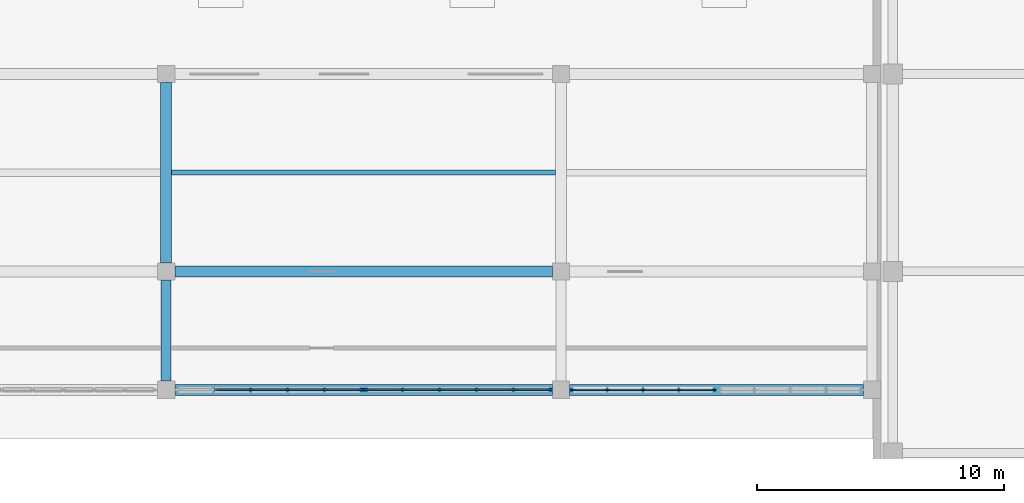
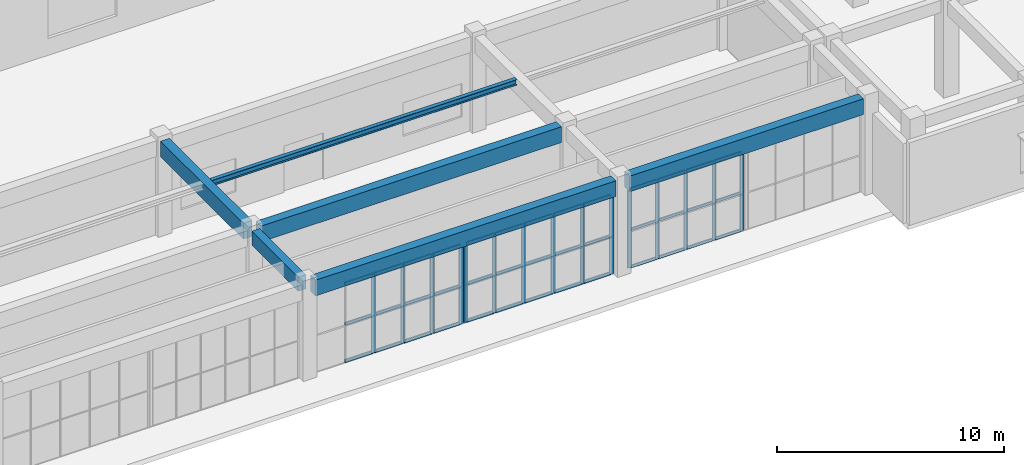
# One storey, part 14 of 46: 54 members, 6 beams, 3 elements without a shape of their own.
"""IFC4 building model written with IfcOpenShell, lengths in metres."""

from ifc_helpers import new_model, si_unit, direction, frame, origin, origin_2d, place, context, subcontext, project, spatial, rectangle, i_section, extrude, material, layer, layer_set, material_profile, profile_set, type_object, element, aggregate, save


model = new_model("IFC4")

# Units and contexts
model_context = context("Model", 3, precision=1e-05, world=origin(), true_north=direction((0.0, 1.0)))
body_context = subcontext(model_context, "Body", "Model", "MODEL_VIEW")
ifc_project = project(units=[si_unit("LENGTHUNIT", "METRE"), si_unit("AREAUNIT", "SQUARE_METRE"), si_unit("VOLUMEUNIT", "CUBIC_METRE"), si_unit("PLANEANGLEUNIT", "RADIAN"), si_unit("MASSUNIT", "GRAM", prefix="KILO")], contexts=[model_context])

# Site, building, storey
site_placement = place(None, origin())
site = spatial("IfcSite", under=ifc_project, at=site_placement, CompositionType="ELEMENT")
building_placement = place(site_placement, origin())
building = spatial("IfcBuilding", under=site, at=building_placement, Name="Cinchona Park Media Centre", CompositionType="ELEMENT")
storey_placement = place(building_placement, origin())
storey = spatial("IfcBuildingStorey", under=building, at=storey_placement, Name="L00", CompositionType="ELEMENT", Elevation=0.0)

# Beams
ifc_material_1 = material(Name="Concrete C35/45", Category="concrete")
ifc_material_profile_1 = material_profile(ifc_material_1, rectangle(XDim=0.39990234375, YDim=0.75, at=origin_2d()), Name="RB 400X750")
ifc_profile_set_1 = profile_set([ifc_material_profile_1], Name="Concrete C35/45")
beam_type_1 = type_object("IfcBeamType", Name="BEAM-B01-RB400X750", PredefinedType="BEAM", material=ifc_profile_set_1)
beam_1_placement = place(storey_placement, frame((110.800048828125, 75.14990234375, 4.764892578125), z_axis=(0.0, 1.0, 0.0), x_axis=(-1.0, 0.0, 0.0)))
element("IfcBeam", 1, at=beam_1_placement, inside=storey, type_object=beam_type_1, Name="Girder B01 L00", PredefinedType="BEAM", context=body_context, shape_type="SweptSolid", body=[
    extrude(rectangle(XDim=0.39990234375, YDim=0.75, at=origin_2d()), origin(), (0.0, 0.0, 1.0), 4.10009765625),
])
ifc_material_2 = material(Name="Concrete C35/45", Category="concrete")
ifc_material_profile_2 = material_profile(ifc_material_2, rectangle(XDim=0.449951171875, YDim=0.85009765625, at=origin_2d()), Name="RB 450X850")
ifc_profile_set_2 = profile_set([ifc_material_profile_2], Name="Concrete C35/45")
beam_type_2 = type_object("IfcBeamType", Name="BEAM-B02-RB450X850", PredefinedType="BEAM", material=ifc_profile_set_2)
beam_2_placement = place(storey_placement, frame((111.14990234375, 74.800048828125, 4.715087890625), z_axis=(1.0, 0.0, 0.0), x_axis=(0.0, 1.0, 0.0)))
element("IfcBeam", 2, at=beam_2_placement, inside=storey, type_object=beam_type_2, Name="Beam B02 L00", PredefinedType="BEAM", context=body_context, shape_type="SweptSolid", body=[
    extrude(rectangle(XDim=0.449951171875, YDim=0.85009765625, at=origin_2d()), origin(), (0.0, 0.0, 1.0), 15.300048828125),
])
beam_3_placement = place(storey_placement, frame((127.14990234375, 74.800048828125, 4.715087890625), z_axis=(1.0, 0.0, 0.0), x_axis=(0.0, 1.0, 0.0)))
element("IfcBeam", 3, at=beam_3_placement, inside=storey, type_object=beam_type_2, Name="Beam B02 L00", PredefinedType="BEAM", context=body_context, shape_type="SweptSolid", body=[
    extrude(rectangle(XDim=0.449951171875, YDim=0.85009765625, at=origin_2d()), origin(), (0.0, 0.0, 1.0), 11.900146484375),
])
beam_4_placement = place(storey_placement, frame((111.14990234375, 79.60009765625, 4.715087890625), z_axis=(1.0, 0.0, 0.0), x_axis=(0.0, 1.0, 0.0)))
element("IfcBeam", 4, at=beam_4_placement, inside=storey, type_object=beam_type_2, Name="Beam B02 L00", PredefinedType="BEAM", context=body_context, shape_type="SweptSolid", body=[
    extrude(rectangle(XDim=0.449951171875, YDim=0.85009765625, at=origin_2d()), origin(), (0.0, 0.0, 1.0), 15.300048828125),
])
beam_5_placement = place(storey_placement, frame((110.800048828125, 79.949951171875, 4.715087890625), z_axis=(0.0, 1.0, 0.0), x_axis=(-1.0, 0.0, 0.0)))
element("IfcBeam", 5, at=beam_5_placement, inside=storey, type_object=beam_type_2, Name="Girder B02 L00", PredefinedType="BEAM", context=body_context, shape_type="SweptSolid", body=[
    extrude(rectangle(XDim=0.449951171875, YDim=0.85009765625, at=origin_2d()), origin(), (0.0, 0.0, 1.0), 7.300048828125),
])
ifc_material_3 = material(Name="Steel S355", Category="steel")
ifc_material_profile_3 = material_profile(ifc_material_3, i_section(OverallWidth=0.202880859375, OverallDepth=0.302978515625, WebThickness=0.007568359375, FlangeThickness=0.01318359375, at=origin_2d()), Name="W310X60")
ifc_profile_set_3 = profile_set([ifc_material_profile_3], Name="Steel S355")
beam_type_3 = type_object("IfcBeamType", Name="BEAM-J03-W310X60", PredefinedType="JOIST", material=ifc_profile_set_3)
beam_6_placement = place(storey_placement, frame((111.02490234375, 83.60009765625, 4.988525390625), z_axis=(1.0, 0.0, 0.0), x_axis=(0.0, 1.0, 0.0)))
element("IfcBeam", 6, at=beam_6_placement, inside=storey, type_object=beam_type_3, Name="Floor Joist J03 L00", PredefinedType="JOIST", context=body_context, shape_type="SweptSolid", body=[
    extrude(i_section(OverallWidth=0.202880859375, OverallDepth=0.302978515625, WebThickness=0.007568359375, FlangeThickness=0.01318359375, at=origin_2d()), origin(), (0.0, 0.0, 1.0), 15.550048828125),
])

# Curtain wall, members
ifc_material_4 = material(Name="Aluminium Curtain Wall Framing", Category="aluminium")
ifc_layer_1 = layer(ifc_material_4, 0.300048828125)
ifc_layer_set_1 = layer_set([ifc_layer_1], Name="Aluminium Curtain Wall Framing")
curtain_wall_type_1 = type_object("IfcCurtainWallType", Name="CW-CW09", PredefinedType="USERDEFINED", material=ifc_layer_set_1)
curtain_wall_1_placement = place(storey_placement, origin())
curtain_wall_1 = element("IfcCurtainWall", 7, at=curtain_wall_1_placement, inside=storey, type_object=curtain_wall_type_1, Name="Curtain Wall CW09 L00", ObjectType="UNITISED CURTAIN WALL", PredefinedType="USERDEFINED")
ifc_material_5 = material(Name="Anodised Aluminium Alloy 6063-T6", Category="aluminium")
ifc_material_profile_4 = material_profile(ifc_material_5, rectangle(XDim=0.070068359375, YDim=0.179931640625, at=origin_2d()), Name="MUL-70X180")
ifc_profile_set_4 = profile_set([ifc_material_profile_4], Name="Anodised Aluminium Alloy 6063-T6")
member_type_1 = type_object("IfcMemberType", Name="MULLION-MUL02", PredefinedType="MULLION", material=ifc_profile_set_4)
member_1_placement = place(storey_placement, frame((132.985107421875, 74.800048828125, 0.050048828125), z_axis=(0.0, 0.0, 1.0), x_axis=(0.0, -1.0, 0.0)))
member_1 = element("IfcMember", 8, at=member_1_placement, type_object=member_type_1, Name="CW09 mullion 1", PredefinedType="MULLION", context=body_context, shape_type="SweptSolid", body=[
    extrude(rectangle(XDim=0.070068359375, YDim=0.179931640625, at=origin_2d()), origin(), (0.0, 0.0, 1.0), 4.239990234375),
])
member_2_placement = place(storey_placement, frame((131.570068359375, 74.800048828125, 0.050048828125), z_axis=(0.0, 0.0, 1.0), x_axis=(0.0, -1.0, 0.0)))
member_2 = element("IfcMember", 9, at=member_2_placement, type_object=member_type_1, Name="CW09 mullion 2", PredefinedType="MULLION", context=body_context, shape_type="SweptSolid", body=[
    extrude(rectangle(XDim=0.070068359375, YDim=0.179931640625, at=origin_2d()), origin(), (0.0, 0.0, 1.0), 4.239990234375),
])
member_3_placement = place(storey_placement, frame((130.1201171875, 74.800048828125, 0.050048828125), z_axis=(0.0, 0.0, 1.0), x_axis=(0.0, -1.0, 0.0)))
member_3 = element("IfcMember", 10, at=member_3_placement, type_object=member_type_1, Name="CW09 mullion 3", PredefinedType="MULLION", context=body_context, shape_type="SweptSolid", body=[
    extrude(rectangle(XDim=0.070068359375, YDim=0.179931640625, at=origin_2d()), origin(), (0.0, 0.0, 1.0), 4.239990234375),
])
member_4_placement = place(storey_placement, frame((128.669921875, 74.800048828125, 0.050048828125), z_axis=(0.0, 0.0, 1.0), x_axis=(0.0, -1.0, 0.0)))
member_4 = element("IfcMember", 11, at=member_4_placement, type_object=member_type_1, Name="CW09 mullion 4", PredefinedType="MULLION", context=body_context, shape_type="SweptSolid", body=[
    extrude(rectangle(XDim=0.070068359375, YDim=0.179931640625, at=origin_2d()), origin(), (0.0, 0.0, 1.0), 4.239990234375),
])
member_5_placement = place(storey_placement, frame((127.2548828125, 74.800048828125, 0.050048828125), z_axis=(0.0, 0.0, 1.0), x_axis=(0.0, -1.0, 0.0)))
member_5 = element("IfcMember", 12, at=member_5_placement, type_object=member_type_1, Name="CW09 mullion 5", PredefinedType="MULLION", context=body_context, shape_type="SweptSolid", body=[
    extrude(rectangle(XDim=0.070068359375, YDim=0.179931640625, at=origin_2d()), origin(), (0.0, 0.0, 1.0), 4.239990234375),
])

ifc_material_6 = material(Name="Aluminium Curtain Wall Framing", Category="aluminium")
ifc_layer_2 = layer(ifc_material_6, 0.2548828125)
ifc_layer_set_2 = layer_set([ifc_layer_2], Name="Aluminium Curtain Wall Framing")
curtain_wall_type_2 = type_object("IfcCurtainWallType", Name="CW-CW06", PredefinedType="USERDEFINED", material=ifc_layer_set_2)
curtain_wall_2_placement = place(storey_placement, origin())
curtain_wall_2 = element("IfcCurtainWall", 13, at=curtain_wall_2_placement, inside=storey, type_object=curtain_wall_type_2, Name="Curtain Wall CW06 L00", ObjectType="UNITISED CURTAIN WALL", PredefinedType="USERDEFINED")
ifc_material_7 = material(Name="Anodised Aluminium Alloy 6063-T6", Category="aluminium")
ifc_material_profile_5 = material_profile(ifc_material_7, rectangle(XDim=0.074951171875, YDim=0.2099609375, at=origin_2d()), Name="MUL-75X210")
ifc_profile_set_5 = profile_set([ifc_material_profile_5], Name="Anodised Aluminium Alloy 6063-T6")
member_type_2 = type_object("IfcMemberType", Name="MULLION-MUL03", PredefinedType="MULLION", material=ifc_profile_set_5)
member_6_placement = place(storey_placement, frame((126.342529296875, 74.800048828125, 0.050048828125), z_axis=(0.0, 0.0, 1.0), x_axis=(0.0, -1.0, 0.0)))
member_6 = element("IfcMember", 14, at=member_6_placement, type_object=member_type_2, Name="CW06 mullion 1", PredefinedType="MULLION", context=body_context, shape_type="SweptSolid", body=[
    extrude(rectangle(XDim=0.074951171875, YDim=0.2099609375, at=origin_2d()), origin(), (0.0, 0.0, 1.0), 4.239990234375),
])
member_7_placement = place(storey_placement, frame((124.8798828125, 74.800048828125, 0.050048828125), z_axis=(0.0, 0.0, 1.0), x_axis=(0.0, -1.0, 0.0)))
member_7 = element("IfcMember", 15, at=member_7_placement, type_object=member_type_2, Name="CW06 mullion 2", PredefinedType="MULLION", context=body_context, shape_type="SweptSolid", body=[
    extrude(rectangle(XDim=0.074951171875, YDim=0.2099609375, at=origin_2d()), origin(), (0.0, 0.0, 1.0), 4.239990234375),
])
member_8_placement = place(storey_placement, frame((123.3798828125, 74.800048828125, 0.050048828125), z_axis=(0.0, 0.0, 1.0), x_axis=(0.0, -1.0, 0.0)))
member_8 = element("IfcMember", 16, at=member_8_placement, type_object=member_type_2, Name="CW06 mullion 3", PredefinedType="MULLION", context=body_context, shape_type="SweptSolid", body=[
    extrude(rectangle(XDim=0.074951171875, YDim=0.2099609375, at=origin_2d()), origin(), (0.0, 0.0, 1.0), 4.239990234375),
])
member_9_placement = place(storey_placement, frame((121.8798828125, 74.800048828125, 0.050048828125), z_axis=(0.0, 0.0, 1.0), x_axis=(0.0, -1.0, 0.0)))
member_9 = element("IfcMember", 17, at=member_9_placement, type_object=member_type_2, Name="CW06 mullion 4", PredefinedType="MULLION", context=body_context, shape_type="SweptSolid", body=[
    extrude(rectangle(XDim=0.074951171875, YDim=0.2099609375, at=origin_2d()), origin(), (0.0, 0.0, 1.0), 4.239990234375),
])
member_10_placement = place(storey_placement, frame((120.3798828125, 74.800048828125, 0.050048828125), z_axis=(0.0, 0.0, 1.0), x_axis=(0.0, -1.0, 0.0)))
member_10 = element("IfcMember", 18, at=member_10_placement, type_object=member_type_2, Name="CW06 mullion 5", PredefinedType="MULLION", context=body_context, shape_type="SweptSolid", body=[
    extrude(rectangle(XDim=0.074951171875, YDim=0.2099609375, at=origin_2d()), origin(), (0.0, 0.0, 1.0), 4.239990234375),
])
member_11_placement = place(storey_placement, frame((118.91748046875, 74.800048828125, 0.050048828125), z_axis=(0.0, 0.0, 1.0), x_axis=(0.0, -1.0, 0.0)))
member_11 = element("IfcMember", 19, at=member_11_placement, type_object=member_type_2, Name="CW06 mullion 6", PredefinedType="MULLION", context=body_context, shape_type="SweptSolid", body=[
    extrude(rectangle(XDim=0.074951171875, YDim=0.2099609375, at=origin_2d()), origin(), (0.0, 0.0, 1.0), 4.239990234375),
])

ifc_material_8 = material(Name="Aluminium Curtain Wall Framing", Category="aluminium")
ifc_layer_3 = layer(ifc_material_8, 0.27001953125)
ifc_layer_set_3 = layer_set([ifc_layer_3], Name="Aluminium Curtain Wall Framing")
curtain_wall_type_3 = type_object("IfcCurtainWallType", Name="CW-CW07", PredefinedType="USERDEFINED", material=ifc_layer_set_3)
curtain_wall_3_placement = place(storey_placement, origin())
curtain_wall_3 = element("IfcCurtainWall", 20, at=curtain_wall_3_placement, inside=storey, type_object=curtain_wall_type_3, Name="Curtain Wall CW07 L00", ObjectType="UNITISED CURTAIN WALL", PredefinedType="USERDEFINED")
member_12_placement = place(storey_placement, frame((118.6826171875, 74.800048828125, 0.050048828125), z_axis=(0.0, 0.0, 1.0), x_axis=(0.0, -1.0, 0.0)))
member_12 = element("IfcMember", 21, at=member_12_placement, type_object=member_type_2, Name="CW07 mullion 1", PredefinedType="MULLION", context=body_context, shape_type="SweptSolid", body=[
    extrude(rectangle(XDim=0.074951171875, YDim=0.2099609375, at=origin_2d()), origin(), (0.0, 0.0, 1.0), 4.239990234375),
])
member_13_placement = place(storey_placement, frame((117.219970703125, 74.800048828125, 0.050048828125), z_axis=(0.0, 0.0, 1.0), x_axis=(0.0, -1.0, 0.0)))
member_13 = element("IfcMember", 22, at=member_13_placement, type_object=member_type_2, Name="CW07 mullion 2", PredefinedType="MULLION", context=body_context, shape_type="SweptSolid", body=[
    extrude(rectangle(XDim=0.074951171875, YDim=0.2099609375, at=origin_2d()), origin(), (0.0, 0.0, 1.0), 4.239990234375),
])
member_14_placement = place(storey_placement, frame((115.719970703125, 74.800048828125, 0.050048828125), z_axis=(0.0, 0.0, 1.0), x_axis=(0.0, -1.0, 0.0)))
member_14 = element("IfcMember", 23, at=member_14_placement, type_object=member_type_2, Name="CW07 mullion 3", PredefinedType="MULLION", context=body_context, shape_type="SweptSolid", body=[
    extrude(rectangle(XDim=0.074951171875, YDim=0.2099609375, at=origin_2d()), origin(), (0.0, 0.0, 1.0), 4.239990234375),
])
member_15_placement = place(storey_placement, frame((114.219970703125, 74.800048828125, 0.050048828125), z_axis=(0.0, 0.0, 1.0), x_axis=(0.0, -1.0, 0.0)))
member_15 = element("IfcMember", 24, at=member_15_placement, type_object=member_type_2, Name="CW07 mullion 4", PredefinedType="MULLION", context=body_context, shape_type="SweptSolid", body=[
    extrude(rectangle(XDim=0.074951171875, YDim=0.2099609375, at=origin_2d()), origin(), (0.0, 0.0, 1.0), 4.239990234375),
])

# Member
ifc_material_9 = material(Name="Anodised Aluminium Alloy 6063-T6", Category="aluminium")
ifc_material_profile_6 = material_profile(ifc_material_9, rectangle(XDim=0.070068359375, YDim=0.139892578125, at=origin_2d()), Name="TRN-70X140")
ifc_profile_set_6 = profile_set([ifc_material_profile_6], Name="Anodised Aluminium Alloy 6063-T6")
member_type_3 = type_object("IfcMemberType", Name="TRANSOM-TRN02", PredefinedType="USERDEFINED", material=ifc_profile_set_6)
member_16_placement = place(storey_placement, frame((132.949951171875, 74.800048828125, 0.0849609375), z_axis=(-1.0, 0.0, 0.0), x_axis=(0.0, -1.0, 0.0)))
member_16 = element("IfcMember", 25, at=member_16_placement, type_object=member_type_3, Name="CW09 transom 1.1", ObjectType="TRANSOM", PredefinedType="USERDEFINED", context=body_context, shape_type="SweptSolid", body=[
    extrude(rectangle(XDim=0.070068359375, YDim=0.139892578125, at=origin_2d()), origin(), (0.0, 0.0, 1.0), 1.344970703125),
])

member_17_placement = place(storey_placement, frame((132.949951171875, 74.800048828125, 2.0849609375), z_axis=(-1.0, 0.0, 0.0), x_axis=(0.0, -1.0, 0.0)))
member_17 = element("IfcMember", 26, at=member_17_placement, type_object=member_type_3, Name="CW09 transom 1.2", ObjectType="TRANSOM", PredefinedType="USERDEFINED", context=body_context, shape_type="SweptSolid", body=[
    extrude(rectangle(XDim=0.070068359375, YDim=0.139892578125, at=origin_2d()), origin(), (0.0, 0.0, 1.0), 1.344970703125),
])

member_18_placement = place(storey_placement, frame((132.949951171875, 74.800048828125, 4.2548828125), z_axis=(-1.0, 0.0, 0.0), x_axis=(0.0, -1.0, 0.0)))
member_18 = element("IfcMember", 27, at=member_18_placement, type_object=member_type_3, Name="CW09 transom 1.3", ObjectType="TRANSOM", PredefinedType="USERDEFINED", context=body_context, shape_type="SweptSolid", body=[
    extrude(rectangle(XDim=0.070068359375, YDim=0.139892578125, at=origin_2d()), origin(), (0.0, 0.0, 1.0), 1.344970703125),
])

member_19_placement = place(storey_placement, frame((131.534912109375, 74.800048828125, 0.0849609375), z_axis=(-1.0, 0.0, 0.0), x_axis=(0.0, -1.0, 0.0)))
member_19 = element("IfcMember", 28, at=member_19_placement, type_object=member_type_3, Name="CW09 transom 2.1", ObjectType="TRANSOM", PredefinedType="USERDEFINED", context=body_context, shape_type="SweptSolid", body=[
    extrude(rectangle(XDim=0.070068359375, YDim=0.139892578125, at=origin_2d()), origin(), (0.0, 0.0, 1.0), 1.3798828125),
])

member_20_placement = place(storey_placement, frame((131.534912109375, 74.800048828125, 2.0849609375), z_axis=(-1.0, 0.0, 0.0), x_axis=(0.0, -1.0, 0.0)))
member_20 = element("IfcMember", 29, at=member_20_placement, type_object=member_type_3, Name="CW09 transom 2.2", ObjectType="TRANSOM", PredefinedType="USERDEFINED", context=body_context, shape_type="SweptSolid", body=[
    extrude(rectangle(XDim=0.070068359375, YDim=0.139892578125, at=origin_2d()), origin(), (0.0, 0.0, 1.0), 1.3798828125),
])

member_21_placement = place(storey_placement, frame((131.534912109375, 74.800048828125, 4.2548828125), z_axis=(-1.0, 0.0, 0.0), x_axis=(0.0, -1.0, 0.0)))
member_21 = element("IfcMember", 30, at=member_21_placement, type_object=member_type_3, Name="CW09 transom 2.3", ObjectType="TRANSOM", PredefinedType="USERDEFINED", context=body_context, shape_type="SweptSolid", body=[
    extrude(rectangle(XDim=0.070068359375, YDim=0.139892578125, at=origin_2d()), origin(), (0.0, 0.0, 1.0), 1.3798828125),
])

member_22_placement = place(storey_placement, frame((130.0849609375, 74.800048828125, 0.0849609375), z_axis=(-1.0, 0.0, 0.0), x_axis=(0.0, -1.0, 0.0)))
member_22 = element("IfcMember", 31, at=member_22_placement, type_object=member_type_3, Name="CW09 transom 3.1", ObjectType="TRANSOM", PredefinedType="USERDEFINED", context=body_context, shape_type="SweptSolid", body=[
    extrude(rectangle(XDim=0.070068359375, YDim=0.139892578125, at=origin_2d()), origin(), (0.0, 0.0, 1.0), 1.3798828125),
])

member_23_placement = place(storey_placement, frame((130.0849609375, 74.800048828125, 2.0849609375), z_axis=(-1.0, 0.0, 0.0), x_axis=(0.0, -1.0, 0.0)))
member_23 = element("IfcMember", 32, at=member_23_placement, type_object=member_type_3, Name="CW09 transom 3.2", ObjectType="TRANSOM", PredefinedType="USERDEFINED", context=body_context, shape_type="SweptSolid", body=[
    extrude(rectangle(XDim=0.070068359375, YDim=0.139892578125, at=origin_2d()), origin(), (0.0, 0.0, 1.0), 1.3798828125),
])

member_24_placement = place(storey_placement, frame((130.0849609375, 74.800048828125, 4.2548828125), z_axis=(-1.0, 0.0, 0.0), x_axis=(0.0, -1.0, 0.0)))
member_24 = element("IfcMember", 33, at=member_24_placement, type_object=member_type_3, Name="CW09 transom 3.3", ObjectType="TRANSOM", PredefinedType="USERDEFINED", context=body_context, shape_type="SweptSolid", body=[
    extrude(rectangle(XDim=0.070068359375, YDim=0.139892578125, at=origin_2d()), origin(), (0.0, 0.0, 1.0), 1.3798828125),
])

member_25_placement = place(storey_placement, frame((128.635009765625, 74.800048828125, 0.0849609375), z_axis=(-1.0, 0.0, 0.0), x_axis=(0.0, -1.0, 0.0)))
member_25 = element("IfcMember", 34, at=member_25_placement, type_object=member_type_3, Name="CW09 transom 4.1", ObjectType="TRANSOM", PredefinedType="USERDEFINED", context=body_context, shape_type="SweptSolid", body=[
    extrude(rectangle(XDim=0.070068359375, YDim=0.139892578125, at=origin_2d()), origin(), (0.0, 0.0, 1.0), 1.344970703125),
])

member_26_placement = place(storey_placement, frame((128.635009765625, 74.800048828125, 2.0849609375), z_axis=(-1.0, 0.0, 0.0), x_axis=(0.0, -1.0, 0.0)))
member_26 = element("IfcMember", 35, at=member_26_placement, type_object=member_type_3, Name="CW09 transom 4.2", ObjectType="TRANSOM", PredefinedType="USERDEFINED", context=body_context, shape_type="SweptSolid", body=[
    extrude(rectangle(XDim=0.070068359375, YDim=0.139892578125, at=origin_2d()), origin(), (0.0, 0.0, 1.0), 1.344970703125),
])

member_27_placement = place(storey_placement, frame((128.635009765625, 74.800048828125, 4.2548828125), z_axis=(-1.0, 0.0, 0.0), x_axis=(0.0, -1.0, 0.0)))
member_27 = element("IfcMember", 36, at=member_27_placement, type_object=member_type_3, Name="CW09 transom 4.3", ObjectType="TRANSOM", PredefinedType="USERDEFINED", context=body_context, shape_type="SweptSolid", body=[
    extrude(rectangle(XDim=0.070068359375, YDim=0.139892578125, at=origin_2d()), origin(), (0.0, 0.0, 1.0), 1.344970703125),
])

aggregate(curtain_wall_1, [member_1, member_2, member_3, member_4, member_5, member_16, member_17, member_18, member_19, member_20, member_21, member_22, member_23, member_24, member_25, member_26, member_27])

ifc_material_10 = material(Name="Anodised Aluminium Alloy 6063-T6", Category="aluminium")
ifc_material_profile_7 = material_profile(ifc_material_10, rectangle(XDim=0.074951171875, YDim=0.159912109375, at=origin_2d()), Name="TRN-75X160")
ifc_profile_set_7 = profile_set([ifc_material_profile_7], Name="Anodised Aluminium Alloy 6063-T6")
member_type_4 = type_object("IfcMemberType", Name="TRANSOM-TRN03", PredefinedType="USERDEFINED", material=ifc_profile_set_7)
member_28_placement = place(storey_placement, frame((126.304931640625, 74.800048828125, 0.08740234375), z_axis=(-1.0, 0.0, 0.0), x_axis=(0.0, -1.0, 0.0)))
member_28 = element("IfcMember", 37, at=member_28_placement, type_object=member_type_4, Name="CW06 transom 1.1", ObjectType="TRANSOM", PredefinedType="USERDEFINED", context=body_context, shape_type="SweptSolid", body=[
    extrude(rectangle(XDim=0.074951171875, YDim=0.159912109375, at=origin_2d()), origin(), (0.0, 0.0, 1.0), 1.387451171875),
])

member_29_placement = place(storey_placement, frame((126.304931640625, 74.800048828125, 2.0849609375), z_axis=(-1.0, 0.0, 0.0), x_axis=(0.0, -1.0, 0.0)))
member_29 = element("IfcMember", 38, at=member_29_placement, type_object=member_type_4, Name="CW06 transom 1.2", ObjectType="TRANSOM", PredefinedType="USERDEFINED", context=body_context, shape_type="SweptSolid", body=[
    extrude(rectangle(XDim=0.074951171875, YDim=0.159912109375, at=origin_2d()), origin(), (0.0, 0.0, 1.0), 1.387451171875),
])

member_30_placement = place(storey_placement, frame((126.304931640625, 74.800048828125, 4.25244140625), z_axis=(-1.0, 0.0, 0.0), x_axis=(0.0, -1.0, 0.0)))
member_30 = element("IfcMember", 39, at=member_30_placement, type_object=member_type_4, Name="CW06 transom 1.3", ObjectType="TRANSOM", PredefinedType="USERDEFINED", context=body_context, shape_type="SweptSolid", body=[
    extrude(rectangle(XDim=0.074951171875, YDim=0.159912109375, at=origin_2d()), origin(), (0.0, 0.0, 1.0), 1.387451171875),
])

member_31_placement = place(storey_placement, frame((124.842529296875, 74.800048828125, 0.08740234375), z_axis=(-1.0, 0.0, 0.0), x_axis=(0.0, -1.0, 0.0)))
member_31 = element("IfcMember", 40, at=member_31_placement, type_object=member_type_4, Name="CW06 transom 2.1", ObjectType="TRANSOM", PredefinedType="USERDEFINED", context=body_context, shape_type="SweptSolid", body=[
    extrude(rectangle(XDim=0.074951171875, YDim=0.159912109375, at=origin_2d()), origin(), (0.0, 0.0, 1.0), 1.425048828125),
])

member_32_placement = place(storey_placement, frame((124.842529296875, 74.800048828125, 2.0849609375), z_axis=(-1.0, 0.0, 0.0), x_axis=(0.0, -1.0, 0.0)))
member_32 = element("IfcMember", 41, at=member_32_placement, type_object=member_type_4, Name="CW06 transom 2.2", ObjectType="TRANSOM", PredefinedType="USERDEFINED", context=body_context, shape_type="SweptSolid", body=[
    extrude(rectangle(XDim=0.074951171875, YDim=0.159912109375, at=origin_2d()), origin(), (0.0, 0.0, 1.0), 1.425048828125),
])

member_33_placement = place(storey_placement, frame((124.842529296875, 74.800048828125, 4.25244140625), z_axis=(-1.0, 0.0, 0.0), x_axis=(0.0, -1.0, 0.0)))
member_33 = element("IfcMember", 42, at=member_33_placement, type_object=member_type_4, Name="CW06 transom 2.3", ObjectType="TRANSOM", PredefinedType="USERDEFINED", context=body_context, shape_type="SweptSolid", body=[
    extrude(rectangle(XDim=0.074951171875, YDim=0.159912109375, at=origin_2d()), origin(), (0.0, 0.0, 1.0), 1.425048828125),
])

member_34_placement = place(storey_placement, frame((123.342529296875, 74.800048828125, 0.08740234375), z_axis=(-1.0, 0.0, 0.0), x_axis=(0.0, -1.0, 0.0)))
member_34 = element("IfcMember", 43, at=member_34_placement, type_object=member_type_4, Name="CW06 transom 3.1", ObjectType="TRANSOM", PredefinedType="USERDEFINED", context=body_context, shape_type="SweptSolid", body=[
    extrude(rectangle(XDim=0.074951171875, YDim=0.159912109375, at=origin_2d()), origin(), (0.0, 0.0, 1.0), 1.425048828125),
])

member_35_placement = place(storey_placement, frame((123.342529296875, 74.800048828125, 2.0849609375), z_axis=(-1.0, 0.0, 0.0), x_axis=(0.0, -1.0, 0.0)))
member_35 = element("IfcMember", 44, at=member_35_placement, type_object=member_type_4, Name="CW06 transom 3.2", ObjectType="TRANSOM", PredefinedType="USERDEFINED", context=body_context, shape_type="SweptSolid", body=[
    extrude(rectangle(XDim=0.074951171875, YDim=0.159912109375, at=origin_2d()), origin(), (0.0, 0.0, 1.0), 1.425048828125),
])

member_36_placement = place(storey_placement, frame((123.342529296875, 74.800048828125, 4.25244140625), z_axis=(-1.0, 0.0, 0.0), x_axis=(0.0, -1.0, 0.0)))
member_36 = element("IfcMember", 45, at=member_36_placement, type_object=member_type_4, Name="CW06 transom 3.3", ObjectType="TRANSOM", PredefinedType="USERDEFINED", context=body_context, shape_type="SweptSolid", body=[
    extrude(rectangle(XDim=0.074951171875, YDim=0.159912109375, at=origin_2d()), origin(), (0.0, 0.0, 1.0), 1.425048828125),
])

member_37_placement = place(storey_placement, frame((121.842529296875, 74.800048828125, 0.08740234375), z_axis=(-1.0, 0.0, 0.0), x_axis=(0.0, -1.0, 0.0)))
member_37 = element("IfcMember", 46, at=member_37_placement, type_object=member_type_4, Name="CW06 transom 4.1", ObjectType="TRANSOM", PredefinedType="USERDEFINED", context=body_context, shape_type="SweptSolid", body=[
    extrude(rectangle(XDim=0.074951171875, YDim=0.159912109375, at=origin_2d()), origin(), (0.0, 0.0, 1.0), 1.425048828125),
])

member_38_placement = place(storey_placement, frame((121.842529296875, 74.800048828125, 2.0849609375), z_axis=(-1.0, 0.0, 0.0), x_axis=(0.0, -1.0, 0.0)))
member_38 = element("IfcMember", 47, at=member_38_placement, type_object=member_type_4, Name="CW06 transom 4.2", ObjectType="TRANSOM", PredefinedType="USERDEFINED", context=body_context, shape_type="SweptSolid", body=[
    extrude(rectangle(XDim=0.074951171875, YDim=0.159912109375, at=origin_2d()), origin(), (0.0, 0.0, 1.0), 1.425048828125),
])

member_39_placement = place(storey_placement, frame((121.842529296875, 74.800048828125, 4.25244140625), z_axis=(-1.0, 0.0, 0.0), x_axis=(0.0, -1.0, 0.0)))
member_39 = element("IfcMember", 48, at=member_39_placement, type_object=member_type_4, Name="CW06 transom 4.3", ObjectType="TRANSOM", PredefinedType="USERDEFINED", context=body_context, shape_type="SweptSolid", body=[
    extrude(rectangle(XDim=0.074951171875, YDim=0.159912109375, at=origin_2d()), origin(), (0.0, 0.0, 1.0), 1.425048828125),
])

member_40_placement = place(storey_placement, frame((120.342529296875, 74.800048828125, 0.08740234375), z_axis=(-1.0, 0.0, 0.0), x_axis=(0.0, -1.0, 0.0)))
member_40 = element("IfcMember", 49, at=member_40_placement, type_object=member_type_4, Name="CW06 transom 5.1", ObjectType="TRANSOM", PredefinedType="USERDEFINED", context=body_context, shape_type="SweptSolid", body=[
    extrude(rectangle(XDim=0.074951171875, YDim=0.159912109375, at=origin_2d()), origin(), (0.0, 0.0, 1.0), 1.387451171875),
])

member_41_placement = place(storey_placement, frame((120.342529296875, 74.800048828125, 2.0849609375), z_axis=(-1.0, 0.0, 0.0), x_axis=(0.0, -1.0, 0.0)))
member_41 = element("IfcMember", 50, at=member_41_placement, type_object=member_type_4, Name="CW06 transom 5.2", ObjectType="TRANSOM", PredefinedType="USERDEFINED", context=body_context, shape_type="SweptSolid", body=[
    extrude(rectangle(XDim=0.074951171875, YDim=0.159912109375, at=origin_2d()), origin(), (0.0, 0.0, 1.0), 1.387451171875),
])

member_42_placement = place(storey_placement, frame((120.342529296875, 74.800048828125, 4.25244140625), z_axis=(-1.0, 0.0, 0.0), x_axis=(0.0, -1.0, 0.0)))
member_42 = element("IfcMember", 51, at=member_42_placement, type_object=member_type_4, Name="CW06 transom 5.3", ObjectType="TRANSOM", PredefinedType="USERDEFINED", context=body_context, shape_type="SweptSolid", body=[
    extrude(rectangle(XDim=0.074951171875, YDim=0.159912109375, at=origin_2d()), origin(), (0.0, 0.0, 1.0), 1.387451171875),
])

aggregate(curtain_wall_2, [member_6, member_7, member_8, member_9, member_10, member_11, member_28, member_29, member_30, member_31, member_32, member_33, member_34, member_35, member_36, member_37, member_38, member_39, member_40, member_41, member_42])

member_43_placement = place(storey_placement, frame((118.64501953125, 74.800048828125, 0.08740234375), z_axis=(-1.0, 0.0, 0.0), x_axis=(0.0, -1.0, 0.0)))
member_43 = element("IfcMember", 52, at=member_43_placement, type_object=member_type_4, Name="CW07 transom 1.1", ObjectType="TRANSOM", PredefinedType="USERDEFINED", context=body_context, shape_type="SweptSolid", body=[
    extrude(rectangle(XDim=0.074951171875, YDim=0.159912109375, at=origin_2d()), origin(), (0.0, 0.0, 1.0), 1.387451171875),
])

member_44_placement = place(storey_placement, frame((118.64501953125, 74.800048828125, 2.0849609375), z_axis=(-1.0, 0.0, 0.0), x_axis=(0.0, -1.0, 0.0)))
member_44 = element("IfcMember", 53, at=member_44_placement, type_object=member_type_4, Name="CW07 transom 1.2", ObjectType="TRANSOM", PredefinedType="USERDEFINED", context=body_context, shape_type="SweptSolid", body=[
    extrude(rectangle(XDim=0.074951171875, YDim=0.159912109375, at=origin_2d()), origin(), (0.0, 0.0, 1.0), 1.387451171875),
])

member_45_placement = place(storey_placement, frame((118.64501953125, 74.800048828125, 4.25244140625), z_axis=(-1.0, 0.0, 0.0), x_axis=(0.0, -1.0, 0.0)))
member_45 = element("IfcMember", 54, at=member_45_placement, type_object=member_type_4, Name="CW07 transom 1.3", ObjectType="TRANSOM", PredefinedType="USERDEFINED", context=body_context, shape_type="SweptSolid", body=[
    extrude(rectangle(XDim=0.074951171875, YDim=0.159912109375, at=origin_2d()), origin(), (0.0, 0.0, 1.0), 1.387451171875),
])

member_46_placement = place(storey_placement, frame((117.1826171875, 74.800048828125, 0.08740234375), z_axis=(-1.0, 0.0, 0.0), x_axis=(0.0, -1.0, 0.0)))
member_46 = element("IfcMember", 55, at=member_46_placement, type_object=member_type_4, Name="CW07 transom 2.1", ObjectType="TRANSOM", PredefinedType="USERDEFINED", context=body_context, shape_type="SweptSolid", body=[
    extrude(rectangle(XDim=0.074951171875, YDim=0.159912109375, at=origin_2d()), origin(), (0.0, 0.0, 1.0), 1.425048828125),
])

member_47_placement = place(storey_placement, frame((117.1826171875, 74.800048828125, 2.0849609375), z_axis=(-1.0, 0.0, 0.0), x_axis=(0.0, -1.0, 0.0)))
member_47 = element("IfcMember", 56, at=member_47_placement, type_object=member_type_4, Name="CW07 transom 2.2", ObjectType="TRANSOM", PredefinedType="USERDEFINED", context=body_context, shape_type="SweptSolid", body=[
    extrude(rectangle(XDim=0.074951171875, YDim=0.159912109375, at=origin_2d()), origin(), (0.0, 0.0, 1.0), 1.425048828125),
])

member_48_placement = place(storey_placement, frame((117.1826171875, 74.800048828125, 4.25244140625), z_axis=(-1.0, 0.0, 0.0), x_axis=(0.0, -1.0, 0.0)))
member_48 = element("IfcMember", 57, at=member_48_placement, type_object=member_type_4, Name="CW07 transom 2.3", ObjectType="TRANSOM", PredefinedType="USERDEFINED", context=body_context, shape_type="SweptSolid", body=[
    extrude(rectangle(XDim=0.074951171875, YDim=0.159912109375, at=origin_2d()), origin(), (0.0, 0.0, 1.0), 1.425048828125),
])

member_49_placement = place(storey_placement, frame((115.6826171875, 74.800048828125, 0.08740234375), z_axis=(-1.0, 0.0, 0.0), x_axis=(0.0, -1.0, 0.0)))
member_49 = element("IfcMember", 58, at=member_49_placement, type_object=member_type_4, Name="CW07 transom 3.1", ObjectType="TRANSOM", PredefinedType="USERDEFINED", context=body_context, shape_type="SweptSolid", body=[
    extrude(rectangle(XDim=0.074951171875, YDim=0.159912109375, at=origin_2d()), origin(), (0.0, 0.0, 1.0), 1.425048828125),
])

member_50_placement = place(storey_placement, frame((115.6826171875, 74.800048828125, 2.0849609375), z_axis=(-1.0, 0.0, 0.0), x_axis=(0.0, -1.0, 0.0)))
member_50 = element("IfcMember", 59, at=member_50_placement, type_object=member_type_4, Name="CW07 transom 3.2", ObjectType="TRANSOM", PredefinedType="USERDEFINED", context=body_context, shape_type="SweptSolid", body=[
    extrude(rectangle(XDim=0.074951171875, YDim=0.159912109375, at=origin_2d()), origin(), (0.0, 0.0, 1.0), 1.425048828125),
])

member_51_placement = place(storey_placement, frame((115.6826171875, 74.800048828125, 4.25244140625), z_axis=(-1.0, 0.0, 0.0), x_axis=(0.0, -1.0, 0.0)))
member_51 = element("IfcMember", 60, at=member_51_placement, type_object=member_type_4, Name="CW07 transom 3.3", ObjectType="TRANSOM", PredefinedType="USERDEFINED", context=body_context, shape_type="SweptSolid", body=[
    extrude(rectangle(XDim=0.074951171875, YDim=0.159912109375, at=origin_2d()), origin(), (0.0, 0.0, 1.0), 1.425048828125),
])

member_52_placement = place(storey_placement, frame((114.1826171875, 74.800048828125, 0.08740234375), z_axis=(-1.0, 0.0, 0.0), x_axis=(0.0, -1.0, 0.0)))
member_52 = element("IfcMember", 61, at=member_52_placement, type_object=member_type_4, Name="CW07 transom 4.1", ObjectType="TRANSOM", PredefinedType="USERDEFINED", context=body_context, shape_type="SweptSolid", body=[
    extrude(rectangle(XDim=0.074951171875, YDim=0.159912109375, at=origin_2d()), origin(), (0.0, 0.0, 1.0), 1.425048828125),
])

member_53_placement = place(storey_placement, frame((114.1826171875, 74.800048828125, 2.0849609375), z_axis=(-1.0, 0.0, 0.0), x_axis=(0.0, -1.0, 0.0)))
member_53 = element("IfcMember", 62, at=member_53_placement, type_object=member_type_4, Name="CW07 transom 4.2", ObjectType="TRANSOM", PredefinedType="USERDEFINED", context=body_context, shape_type="SweptSolid", body=[
    extrude(rectangle(XDim=0.074951171875, YDim=0.159912109375, at=origin_2d()), origin(), (0.0, 0.0, 1.0), 1.425048828125),
])

member_54_placement = place(storey_placement, frame((114.1826171875, 74.800048828125, 4.25244140625), z_axis=(-1.0, 0.0, 0.0), x_axis=(0.0, -1.0, 0.0)))
member_54 = element("IfcMember", 63, at=member_54_placement, type_object=member_type_4, Name="CW07 transom 4.3", ObjectType="TRANSOM", PredefinedType="USERDEFINED", context=body_context, shape_type="SweptSolid", body=[
    extrude(rectangle(XDim=0.074951171875, YDim=0.159912109375, at=origin_2d()), origin(), (0.0, 0.0, 1.0), 1.425048828125),
])

aggregate(curtain_wall_3, [member_12, member_13, member_14, member_15, member_43, member_44, member_45, member_46, member_47, member_48, member_49, member_50, member_51, member_52, member_53, member_54])

save(model, "model.ifc")
